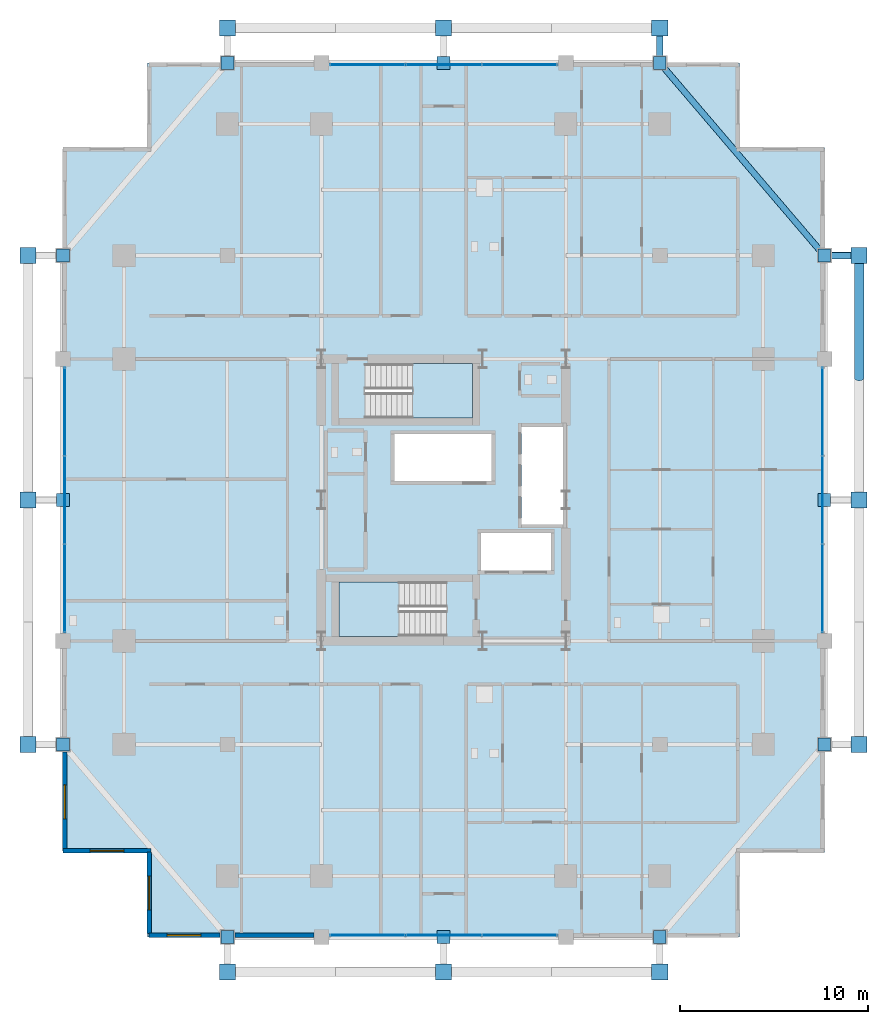
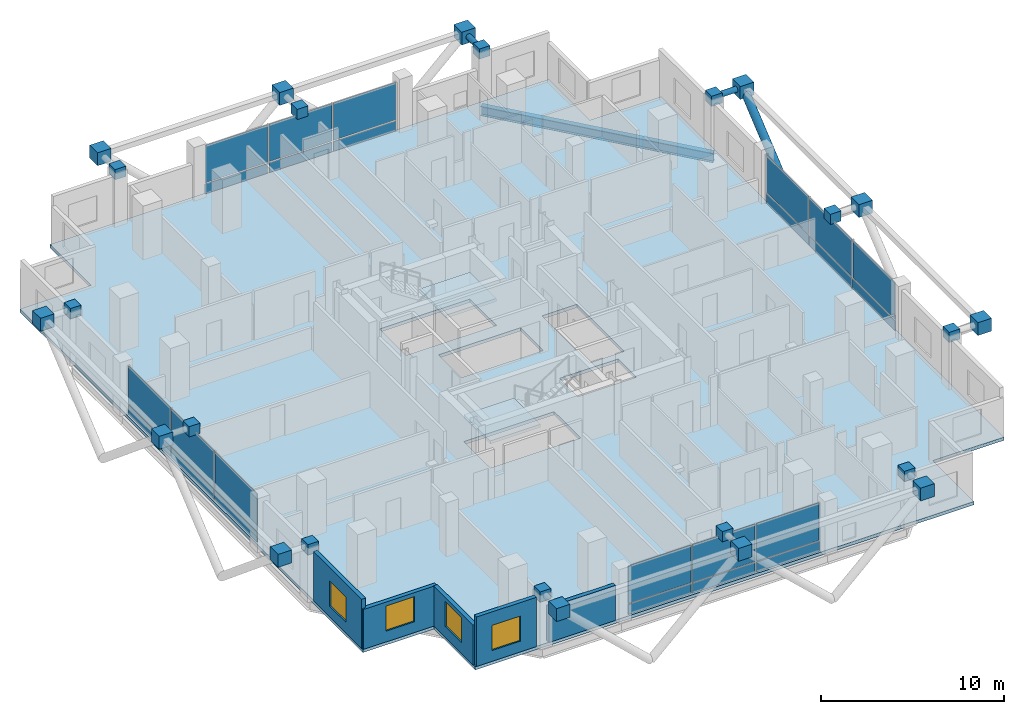
# One storey, part 18 of 25: 48 plates, 5 walls, 4 windows, 3 members, 3 slabs, 1 beam, 4 openings, 6 elements without a shape of their own.
"""IFC4 building model written with IfcOpenShell, lengths in metres."""

from ifc_helpers import new_model, si_unit, direction, frame, frame_2d, origin, origin_2d, place, context, subcontext, project, spatial, polyline, rectangle, hollow_circle, i_section, outline, extrude, material, layer, layer_set, material_profile, profile_set, type_object, element, fill, aggregate, save


model = new_model("IFC4")

# Units and contexts
model_context = context("Model", 3, precision=1e-05, world=origin(), true_north=direction((0.0, 1.0)))
body_context = subcontext(model_context, "Body", "Model", "MODEL_VIEW")
ifc_project = project(units=[si_unit("LENGTHUNIT", "METRE"), si_unit("AREAUNIT", "SQUARE_METRE"), si_unit("VOLUMEUNIT", "CUBIC_METRE"), si_unit("PLANEANGLEUNIT", "RADIAN"), si_unit("MASSUNIT", "GRAM", prefix="KILO")], contexts=[model_context])

# Site, building, storey
site_placement = place(None, origin())
site = spatial("IfcSite", under=ifc_project, at=site_placement, CompositionType="ELEMENT")
building_placement = place(site_placement, origin())
building = spatial("IfcBuilding", under=site, at=building_placement, Name="Barlavira Tower and Art Museum", CompositionType="ELEMENT")
storey_placement = place(building_placement, frame((0.0, 0.0, 162.0)))
storey = spatial("IfcBuildingStorey", under=building, at=storey_placement, Name="L41", CompositionType="ELEMENT", Elevation=162.0)

# Members
ifc_material_1 = material(Name="Steel S355", Category="steel")
ifc_material_profile_1 = material_profile(ifc_material_1, hollow_circle(Radius=0.25390625, WallThickness=0.022216796875, at=origin_2d()), Name="CHS 508.0x22.2")
ifc_profile_set_1 = profile_set([ifc_material_profile_1], Name="Steel S355")
member_type_1 = type_object("IfcMemberType", Name="Pale-Metal Exoskeleton Diagrid Tube CHS 508x22 Steel S355", PredefinedType="BRACE", material=ifc_profile_set_1)
member_placement = place(storey_placement, frame((22.10009765625, 6.5, -1.919921875), z_axis=(0.0, 0.769196053329, 0.639012857104), x_axis=(-1.0, 0.0, 0.0)))
element("IfcMember", 1, at=member_placement, inside=storey, type_object=member_type_1, Name="L41 Exoskeleton Diagrid Tube E", PredefinedType="BRACE", context=body_context, shape_type="SweptSolid", body=[
    extrude(hollow_circle(Radius=0.25390625, WallThickness=0.022216796875, at=origin_2d()), origin(), (0.0, 0.0, 1.0), 8.450439453125),
])
ifc_material_profile_2 = material_profile(ifc_material_1, hollow_circle(Radius=0.177734375, WallThickness=0.01611328125, at=origin_2d()), Name="CHS 355.6x16.0")
ifc_profile_set_2 = profile_set([ifc_material_profile_2], Name="Steel S355")
member_type_2 = type_object("IfcMemberType", Name="Pale-Metal Exoskeleton Tie Strut CHS 356x16 Steel S355", PredefinedType="STRUT", material=ifc_profile_set_2)
for number, where, z_axis, x_axis, name in (
    (2, (11.5, 25.10009765625, 3.47998046875), (0.0, -1.0, 0.0), (1.0, 0.0, 0.0), "L41 Exoskeleton Top Tie Strut N3"),
    (3, (22.10009765625, 13.0, 3.47998046875), (-1.0, 0.0, 0.0), (0.0, -1.0, 0.0), "L41 Exoskeleton Top Tie Strut E3"),
):
    element("IfcMember", number, at=place(storey_placement, frame(where, z_axis=z_axis, x_axis=x_axis)), inside=storey, type_object=member_type_2, Name=name, PredefinedType="STRUT", context=body_context, shape_type="SweptSolid", body=[
        extrude(hollow_circle(Radius=0.177734375, WallThickness=0.01611328125, at=origin_2d()), origin(), (0.0, 0.0, 1.0), 1.85009765625),
    ])

# Beam
ifc_material_profile_3 = material_profile(ifc_material_1, i_section(OverallWidth=0.327880859375, OverallDepth=0.62890625, WebThickness=0.013916015625, FlangeThickness=0.021484375, at=origin_2d()), Name="W610x174.0")
ifc_profile_set_3 = profile_set([ifc_material_profile_3], Name="Steel S355")
beam_type = type_object("IfcBeamType", Name="Perimeter Spandrel Edge Beam W610x174 Steel S355", PredefinedType="SPANDREL", material=ifc_profile_set_3)
beam_placement = place(storey_placement, frame((20.25, 13.0, -0.534423828125), z_axis=(-0.649262379928, 0.760564502202, 0.0), x_axis=(-0.760564502202, -0.649262379928, 0.0)))
element("IfcBeam", 4, at=beam_placement, inside=storey, type_object=beam_type, Name="L41 Spandrel 8", PredefinedType="SPANDREL", context=body_context, shape_type="SweptSolid", body=[
    extrude(i_section(OverallWidth=0.327880859375, OverallDepth=0.62890625, WebThickness=0.013916015625, FlangeThickness=0.021484375, at=origin_2d()), origin(), (0.0, 0.0, 1.0), 13.476806640625),
])

# Curtain wall, plates
ifc_material_2 = material(Name="Low-iron coastal laminated glass", Category="glass")
ifc_layer_1 = layer(ifc_material_2, 0.18994140625, Name="Low-iron coastal laminated glass")
ifc_layer_set_1 = layer_set([ifc_layer_1], Name="Low-iron coastal laminated glass")
curtain_wall_type = type_object("IfcCurtainWallType", Name="Pale-Metal Unitised Curtain Wall Zone 2", PredefinedType="NOTDEFINED", material=ifc_layer_set_1)
curtain_wall_1_placement = place(storey_placement, origin())
curtain_wall_1 = element("IfcCurtainWall", 5, at=curtain_wall_1_placement, inside=storey, type_object=curtain_wall_type, Name="L41 Curtain Wall CW2-L41-S-B3", PredefinedType="NOTDEFINED")
ifc_material_3 = material(Name="Pale anodised aluminium", Category="aluminium")
ifc_layer_2 = layer(ifc_material_3, 0.044921875, Name="Pale anodised aluminium")
ifc_layer_set_2 = layer_set([ifc_layer_2], Name="Pale anodised aluminium")
plate_type_1 = type_object("IfcPlateType", Name="Curtain Wall Pale-Metal Spandrel Panel 45", PredefinedType="CURTAIN_PANEL", material=ifc_layer_set_2)
plate_1_placement = place(storey_placement, frame((-4.05322265625, -23.14990234375, 0.0400390625), z_axis=(0.0, 0.0, 1.0), x_axis=(1.0, 0.0, 0.0)))
plate_1 = element("IfcPlate", 6, at=plate_1_placement, type_object=plate_type_1, Name="CW2-L41-S-B3 Spandrel Panel 0", PredefinedType="CURTAIN_PANEL", context=body_context, shape_type="SweptSolid", body=[
    extrude(rectangle(XDim=3.953369140625, YDim=0.044921875, at=origin_2d()), origin(), (0.0, 0.0, 1.0), 0.64599609375),
])
plate_2_placement = place(storey_placement, frame((0.0, -23.14990234375, 0.0400390625), z_axis=(0.0, 0.0, 1.0), x_axis=(1.0, 0.0, 0.0)))
plate_2 = element("IfcPlate", 7, at=plate_2_placement, type_object=plate_type_1, Name="CW2-L41-S-B3 Spandrel Panel 1", PredefinedType="CURTAIN_PANEL", context=body_context, shape_type="SweptSolid", body=[
    extrude(rectangle(XDim=3.953369140625, YDim=0.044921875, at=origin_2d()), origin(), (0.0, 0.0, 1.0), 0.64599609375),
])
plate_3_placement = place(storey_placement, frame((4.05322265625, -23.14990234375, 0.0400390625), z_axis=(0.0, 0.0, 1.0), x_axis=(1.0, 0.0, 0.0)))
plate_3 = element("IfcPlate", 8, at=plate_3_placement, type_object=plate_type_1, Name="CW2-L41-S-B3 Spandrel Panel 2", PredefinedType="CURTAIN_PANEL", context=body_context, shape_type="SweptSolid", body=[
    extrude(rectangle(XDim=3.953369140625, YDim=0.044921875, at=origin_2d()), origin(), (0.0, 0.0, 1.0), 0.64599609375),
])

curtain_wall_2_placement = place(storey_placement, origin())
curtain_wall_2 = element("IfcCurtainWall", 9, at=curtain_wall_2_placement, inside=storey, type_object=curtain_wall_type, Name="L41 Curtain Wall CW2-L41-N-B3", PredefinedType="NOTDEFINED")
plate_4_placement = place(storey_placement, frame((4.05322265625, 23.14990234375, 0.0400390625), z_axis=(0.0, 0.0, 1.0), x_axis=(-1.0, 0.0, 0.0)))
plate_4 = element("IfcPlate", 10, at=plate_4_placement, type_object=plate_type_1, Name="CW2-L41-N-B3 Spandrel Panel 0", PredefinedType="CURTAIN_PANEL", context=body_context, shape_type="SweptSolid", body=[
    extrude(rectangle(XDim=3.953369140625, YDim=0.044921875, at=origin_2d()), origin(), (0.0, 0.0, 1.0), 0.64599609375),
])
plate_5_placement = place(storey_placement, frame((0.0, 23.14990234375, 0.0400390625), z_axis=(0.0, 0.0, 1.0), x_axis=(-1.0, 0.0, 0.0)))
plate_5 = element("IfcPlate", 11, at=plate_5_placement, type_object=plate_type_1, Name="CW2-L41-N-B3 Spandrel Panel 1", PredefinedType="CURTAIN_PANEL", context=body_context, shape_type="SweptSolid", body=[
    extrude(rectangle(XDim=3.953369140625, YDim=0.044921875, at=origin_2d()), origin(), (0.0, 0.0, 1.0), 0.64599609375),
])
plate_6_placement = place(storey_placement, frame((-4.05322265625, 23.14990234375, 0.0400390625), z_axis=(0.0, 0.0, 1.0), x_axis=(-1.0, 0.0, 0.0)))
plate_6 = element("IfcPlate", 12, at=plate_6_placement, type_object=plate_type_1, Name="CW2-L41-N-B3 Spandrel Panel 2", PredefinedType="CURTAIN_PANEL", context=body_context, shape_type="SweptSolid", body=[
    extrude(rectangle(XDim=3.953369140625, YDim=0.044921875, at=origin_2d()), origin(), (0.0, 0.0, 1.0), 0.64599609375),
])

curtain_wall_3_placement = place(storey_placement, origin())
curtain_wall_3 = element("IfcCurtainWall", 13, at=curtain_wall_3_placement, inside=storey, type_object=curtain_wall_type, Name="L41 Curtain Wall CW2-L41-W-B3", PredefinedType="NOTDEFINED")
plate_7_placement = place(storey_placement, frame((-20.14990234375, 4.719970703125, 0.0400390625), z_axis=(0.0, 0.0, 1.0), x_axis=(0.0, -1.0, 0.0)))
plate_7 = element("IfcPlate", 14, at=plate_7_placement, type_object=plate_type_1, Name="CW2-L41-W-B3 Spandrel Panel 0", PredefinedType="CURTAIN_PANEL", context=body_context, shape_type="SweptSolid", body=[
    extrude(rectangle(XDim=4.6201171875, YDim=0.044921875, at=origin_2d()), origin(), (0.0, 0.0, 1.0), 0.64599609375),
])
plate_8_placement = place(storey_placement, frame((-20.14990234375, 0.0, 0.0400390625), z_axis=(0.0, 0.0, 1.0), x_axis=(0.0, -1.0, 0.0)))
plate_8 = element("IfcPlate", 15, at=plate_8_placement, type_object=plate_type_1, Name="CW2-L41-W-B3 Spandrel Panel 1", PredefinedType="CURTAIN_PANEL", context=body_context, shape_type="SweptSolid", body=[
    extrude(rectangle(XDim=4.6201171875, YDim=0.044921875, at=origin_2d()), origin(), (0.0, 0.0, 1.0), 0.64599609375),
])
plate_9_placement = place(storey_placement, frame((-20.14990234375, -4.719970703125, 0.0400390625), z_axis=(0.0, 0.0, 1.0), x_axis=(0.0, -1.0, 0.0)))
plate_9 = element("IfcPlate", 16, at=plate_9_placement, type_object=plate_type_1, Name="CW2-L41-W-B3 Spandrel Panel 2", PredefinedType="CURTAIN_PANEL", context=body_context, shape_type="SweptSolid", body=[
    extrude(rectangle(XDim=4.6201171875, YDim=0.044921875, at=origin_2d()), origin(), (0.0, 0.0, 1.0), 0.64599609375),
])

curtain_wall_4_placement = place(storey_placement, origin())
curtain_wall_4 = element("IfcCurtainWall", 17, at=curtain_wall_4_placement, inside=storey, type_object=curtain_wall_type, Name="L41 Curtain Wall CW2-L41-E-B3", PredefinedType="NOTDEFINED")
plate_10_placement = place(storey_placement, frame((20.14990234375, -4.719970703125, 0.0400390625), z_axis=(0.0, 0.0, 1.0), x_axis=(0.0, 1.0, 0.0)))
plate_10 = element("IfcPlate", 18, at=plate_10_placement, type_object=plate_type_1, Name="CW2-L41-E-B3 Spandrel Panel 0", PredefinedType="CURTAIN_PANEL", context=body_context, shape_type="SweptSolid", body=[
    extrude(rectangle(XDim=4.6201171875, YDim=0.044921875, at=origin_2d()), origin(), (0.0, 0.0, 1.0), 0.64599609375),
])
plate_11_placement = place(storey_placement, frame((20.14990234375, 0.0, 0.0400390625), z_axis=(0.0, 0.0, 1.0), x_axis=(0.0, 1.0, 0.0)))
plate_11 = element("IfcPlate", 19, at=plate_11_placement, type_object=plate_type_1, Name="CW2-L41-E-B3 Spandrel Panel 1", PredefinedType="CURTAIN_PANEL", context=body_context, shape_type="SweptSolid", body=[
    extrude(rectangle(XDim=4.6201171875, YDim=0.044921875, at=origin_2d()), origin(), (0.0, 0.0, 1.0), 0.64599609375),
])
plate_12_placement = place(storey_placement, frame((20.14990234375, 4.719970703125, 0.0400390625), z_axis=(0.0, 0.0, 1.0), x_axis=(0.0, 1.0, 0.0)))
plate_12 = element("IfcPlate", 20, at=plate_12_placement, type_object=plate_type_1, Name="CW2-L41-E-B3 Spandrel Panel 2", PredefinedType="CURTAIN_PANEL", context=body_context, shape_type="SweptSolid", body=[
    extrude(rectangle(XDim=4.6201171875, YDim=0.044921875, at=origin_2d()), origin(), (0.0, 0.0, 1.0), 0.64599609375),
])

# Plate
ifc_layer_3 = layer(ifc_material_2, 0.028076171875, Name="Low-iron coastal laminated glass")
ifc_layer_set_3 = layer_set([ifc_layer_3], Name="Low-iron coastal laminated glass")
plate_type_2 = type_object("IfcPlateType", Name="Curtain Wall Vision Glazing Panel 28", PredefinedType="CURTAIN_PANEL", material=ifc_layer_set_3)
plate_13_placement = place(storey_placement, frame((-4.05322265625, -23.14990234375, 0.76611328125), z_axis=(0.0, 0.0, 1.0), x_axis=(1.0, 0.0, 0.0)))
plate_13 = element("IfcPlate", 21, at=plate_13_placement, type_object=plate_type_2, Name="CW2-L41-S-B3 Vision Glass Panel 0", PredefinedType="CURTAIN_PANEL", context=body_context, shape_type="SweptSolid", body=[
    extrude(rectangle(XDim=3.953369140625, YDim=0.028076171875, at=origin_2d()), origin(), (0.0, 0.0, 1.0), 2.493896484375),
])

plate_14_placement = place(storey_placement, frame((0.0, -23.14990234375, 0.76611328125), z_axis=(0.0, 0.0, 1.0), x_axis=(1.0, 0.0, 0.0)))
plate_14 = element("IfcPlate", 22, at=plate_14_placement, type_object=plate_type_2, Name="CW2-L41-S-B3 Vision Glass Panel 1", PredefinedType="CURTAIN_PANEL", context=body_context, shape_type="SweptSolid", body=[
    extrude(rectangle(XDim=3.953369140625, YDim=0.028076171875, at=origin_2d()), origin(), (0.0, 0.0, 1.0), 2.493896484375),
])

plate_15_placement = place(storey_placement, frame((4.05322265625, -23.14990234375, 0.76611328125), z_axis=(0.0, 0.0, 1.0), x_axis=(1.0, 0.0, 0.0)))
plate_15 = element("IfcPlate", 23, at=plate_15_placement, type_object=plate_type_2, Name="CW2-L41-S-B3 Vision Glass Panel 2", PredefinedType="CURTAIN_PANEL", context=body_context, shape_type="SweptSolid", body=[
    extrude(rectangle(XDim=3.953369140625, YDim=0.028076171875, at=origin_2d()), origin(), (0.0, 0.0, 1.0), 2.493896484375),
])

aggregate(curtain_wall_1, [plate_1, plate_13, plate_2, plate_14, plate_3, plate_15])

plate_16_placement = place(storey_placement, frame((4.05322265625, 23.14990234375, 0.76611328125), z_axis=(0.0, 0.0, 1.0), x_axis=(-1.0, 0.0, 0.0)))
plate_16 = element("IfcPlate", 24, at=plate_16_placement, type_object=plate_type_2, Name="CW2-L41-N-B3 Vision Glass Panel 0", PredefinedType="CURTAIN_PANEL", context=body_context, shape_type="SweptSolid", body=[
    extrude(rectangle(XDim=3.953369140625, YDim=0.028076171875, at=origin_2d()), origin(), (0.0, 0.0, 1.0), 2.493896484375),
])

plate_17_placement = place(storey_placement, frame((0.0, 23.14990234375, 0.76611328125), z_axis=(0.0, 0.0, 1.0), x_axis=(-1.0, 0.0, 0.0)))
plate_17 = element("IfcPlate", 25, at=plate_17_placement, type_object=plate_type_2, Name="CW2-L41-N-B3 Vision Glass Panel 1", PredefinedType="CURTAIN_PANEL", context=body_context, shape_type="SweptSolid", body=[
    extrude(rectangle(XDim=3.953369140625, YDim=0.028076171875, at=origin_2d()), origin(), (0.0, 0.0, 1.0), 2.493896484375),
])

plate_18_placement = place(storey_placement, frame((-4.05322265625, 23.14990234375, 0.76611328125), z_axis=(0.0, 0.0, 1.0), x_axis=(-1.0, 0.0, 0.0)))
plate_18 = element("IfcPlate", 26, at=plate_18_placement, type_object=plate_type_2, Name="CW2-L41-N-B3 Vision Glass Panel 2", PredefinedType="CURTAIN_PANEL", context=body_context, shape_type="SweptSolid", body=[
    extrude(rectangle(XDim=3.953369140625, YDim=0.028076171875, at=origin_2d()), origin(), (0.0, 0.0, 1.0), 2.493896484375),
])

aggregate(curtain_wall_2, [plate_4, plate_16, plate_5, plate_17, plate_6, plate_18])

plate_19_placement = place(storey_placement, frame((-20.14990234375, 4.719970703125, 0.76611328125), z_axis=(0.0, 0.0, 1.0), x_axis=(0.0, -1.0, 0.0)))
plate_19 = element("IfcPlate", 27, at=plate_19_placement, type_object=plate_type_2, Name="CW2-L41-W-B3 Vision Glass Panel 0", PredefinedType="CURTAIN_PANEL", context=body_context, shape_type="SweptSolid", body=[
    extrude(rectangle(XDim=4.6201171875, YDim=0.028076171875, at=origin_2d()), origin(), (0.0, 0.0, 1.0), 2.493896484375),
])

plate_20_placement = place(storey_placement, frame((-20.14990234375, 0.0, 0.76611328125), z_axis=(0.0, 0.0, 1.0), x_axis=(0.0, -1.0, 0.0)))
plate_20 = element("IfcPlate", 28, at=plate_20_placement, type_object=plate_type_2, Name="CW2-L41-W-B3 Vision Glass Panel 1", PredefinedType="CURTAIN_PANEL", context=body_context, shape_type="SweptSolid", body=[
    extrude(rectangle(XDim=4.6201171875, YDim=0.028076171875, at=origin_2d()), origin(), (0.0, 0.0, 1.0), 2.493896484375),
])

plate_21_placement = place(storey_placement, frame((-20.14990234375, -4.719970703125, 0.76611328125), z_axis=(0.0, 0.0, 1.0), x_axis=(0.0, -1.0, 0.0)))
plate_21 = element("IfcPlate", 29, at=plate_21_placement, type_object=plate_type_2, Name="CW2-L41-W-B3 Vision Glass Panel 2", PredefinedType="CURTAIN_PANEL", context=body_context, shape_type="SweptSolid", body=[
    extrude(rectangle(XDim=4.6201171875, YDim=0.028076171875, at=origin_2d()), origin(), (0.0, 0.0, 1.0), 2.493896484375),
])

aggregate(curtain_wall_3, [plate_7, plate_19, plate_8, plate_20, plate_9, plate_21])

plate_22_placement = place(storey_placement, frame((20.14990234375, -4.719970703125, 0.76611328125), z_axis=(0.0, 0.0, 1.0), x_axis=(0.0, 1.0, 0.0)))
plate_22 = element("IfcPlate", 30, at=plate_22_placement, type_object=plate_type_2, Name="CW2-L41-E-B3 Vision Glass Panel 0", PredefinedType="CURTAIN_PANEL", context=body_context, shape_type="SweptSolid", body=[
    extrude(rectangle(XDim=4.6201171875, YDim=0.028076171875, at=origin_2d()), origin(), (0.0, 0.0, 1.0), 2.493896484375),
])

plate_23_placement = place(storey_placement, frame((20.14990234375, 0.0, 0.76611328125), z_axis=(0.0, 0.0, 1.0), x_axis=(0.0, 1.0, 0.0)))
plate_23 = element("IfcPlate", 31, at=plate_23_placement, type_object=plate_type_2, Name="CW2-L41-E-B3 Vision Glass Panel 1", PredefinedType="CURTAIN_PANEL", context=body_context, shape_type="SweptSolid", body=[
    extrude(rectangle(XDim=4.6201171875, YDim=0.028076171875, at=origin_2d()), origin(), (0.0, 0.0, 1.0), 2.493896484375),
])

plate_24_placement = place(storey_placement, frame((20.14990234375, 4.719970703125, 0.76611328125), z_axis=(0.0, 0.0, 1.0), x_axis=(0.0, 1.0, 0.0)))
plate_24 = element("IfcPlate", 32, at=plate_24_placement, type_object=plate_type_2, Name="CW2-L41-E-B3 Vision Glass Panel 2", PredefinedType="CURTAIN_PANEL", context=body_context, shape_type="SweptSolid", body=[
    extrude(rectangle(XDim=4.6201171875, YDim=0.028076171875, at=origin_2d()), origin(), (0.0, 0.0, 1.0), 2.493896484375),
])

aggregate(curtain_wall_4, [plate_10, plate_22, plate_11, plate_23, plate_12, plate_24])

# Plates
ifc_layer_4 = layer(ifc_material_1, 0.860107421875, Name="Steel S355")
ifc_layer_set_4 = layer_set([ifc_layer_4], Name="Steel S355")
plate_type_3 = type_object("IfcPlateType", Name="Exoskeleton Solid Steel Node Cap Plate Assembly Type 2 Steel S355", PredefinedType="USERDEFINED", material=ifc_layer_set_4)
for number, where, z_axis, x_axis, name in (
    (33, (-11.5, -25.10009765625, 3.0498046875), (0.0, 0.0, 1.0), (1.0, 0.0, 0.0), "Exoskeleton Node S ND-L41-0409"),
    (34, (0.0, -25.10009765625, 3.0498046875), (0.0, 0.0, 1.0), (1.0, 0.0, 0.0), "Exoskeleton Node S ND-L41-0410"),
    (35, (11.5, -25.10009765625, 3.0498046875), (0.0, 0.0, 1.0), (1.0, 0.0, 0.0), "Exoskeleton Node S ND-L41-0411"),
    (36, (-11.5, 25.10009765625, 3.0498046875), (0.0, 0.0, 1.0), (1.0, 0.0, 0.0), "Exoskeleton Node N ND-L41-0420"),
    (37, (0.0, 25.10009765625, 3.0498046875), (0.0, 0.0, 1.0), (1.0, 0.0, 0.0), "Exoskeleton Node N ND-L41-0421"),
    (38, (11.5, 25.10009765625, 3.0498046875), (0.0, 0.0, 1.0), (1.0, 0.0, 0.0), "Exoskeleton Node N ND-L41-0422"),
    (39, (-22.10009765625, -13.0, 3.0498046875), (0.0, 0.0, 1.0), (1.0, 0.0, 0.0), "Exoskeleton Node W ND-L41-0431"),
    (40, (-22.10009765625, 0.0, 3.0498046875), (0.0, 0.0, 1.0), (1.0, 0.0, 0.0), "Exoskeleton Node W ND-L41-0432"),
    (41, (-22.10009765625, 13.0, 3.0498046875), (0.0, 0.0, 1.0), (1.0, 0.0, 0.0), "Exoskeleton Node W ND-L41-0433"),
    (42, (22.10009765625, -13.0, 3.0498046875), (0.0, 0.0, 1.0), (1.0, 0.0, 0.0), "Exoskeleton Node E ND-L41-0442"),
    (43, (22.10009765625, 0.0, 3.0498046875), (0.0, 0.0, 1.0), (1.0, 0.0, 0.0), "Exoskeleton Node E ND-L41-0443"),
    (44, (22.10009765625, 13.0, 3.0498046875), (0.0, 0.0, 1.0), (1.0, 0.0, 0.0), "Exoskeleton Node E ND-L41-0444"),
):
    element("IfcPlate", number, at=place(storey_placement, frame(where, z_axis=z_axis, x_axis=x_axis)), inside=storey, type_object=plate_type_3, Name=name, ObjectType="FLANGE_PLATE", PredefinedType="USERDEFINED", context=body_context, shape_type="SweptSolid", body=[
        extrude(rectangle(XDim=0.860107421875, YDim=0.860107421875, at=origin_2d()), origin(), (0.0, 0.0, 1.0), 0.860107421875),
    ])
ifc_layer_5 = layer(ifc_material_1, 0.679931640625, Name="Steel S355")
ifc_layer_set_5 = layer_set([ifc_layer_5], Name="Steel S355")
plate_type_4 = type_object("IfcPlateType", Name="Exoskeleton Tie-Back Solid Cap Plate Assembly Type 5 Steel S355", PredefinedType="USERDEFINED", material=ifc_layer_set_5)
for number, where, z_axis, x_axis, name in (
    (45, (-11.5, -23.25, 3.14013671875), (0.0, 0.0, 1.0), (1.0, 0.0, 0.0), "Top Slab Tie Cap Plate S1 ND-L41-0417"),
    (46, (0.0, -23.25, 3.14013671875), (0.0, 0.0, 1.0), (1.0, 0.0, 0.0), "Top Slab Tie Cap Plate S2 ND-L41-0418"),
    (47, (11.5, -23.25, 3.14013671875), (0.0, 0.0, 1.0), (1.0, 0.0, 0.0), "Top Slab Tie Cap Plate S3 ND-L41-0419"),
    (48, (-11.5, 23.25, 3.14013671875), (0.0, 0.0, 1.0), (1.0, 0.0, 0.0), "Top Slab Tie Cap Plate N1 ND-L41-0428"),
    (49, (0.0, 23.25, 3.14013671875), (0.0, 0.0, 1.0), (1.0, 0.0, 0.0), "Top Slab Tie Cap Plate N2 ND-L41-0429"),
    (50, (11.5, 23.25, 3.14013671875), (0.0, 0.0, 1.0), (1.0, 0.0, 0.0), "Top Slab Tie Cap Plate N3 ND-L41-0430"),
    (51, (-20.25, -13.0, 3.14013671875), (0.0, 0.0, 1.0), (1.0, 0.0, 0.0), "Top Slab Tie Cap Plate W1 ND-L41-0439"),
    (52, (-20.25, 0.0, 3.14013671875), (0.0, 0.0, 1.0), (1.0, 0.0, 0.0), "Top Slab Tie Cap Plate W2 ND-L41-0440"),
    (53, (-20.25, 13.0, 3.14013671875), (0.0, 0.0, 1.0), (1.0, 0.0, 0.0), "Top Slab Tie Cap Plate W3 ND-L41-0441"),
    (54, (20.25, -13.0, 3.14013671875), (0.0, 0.0, 1.0), (1.0, 0.0, 0.0), "Top Slab Tie Cap Plate E1 ND-L41-0450"),
    (55, (20.25, 0.0, 3.14013671875), (0.0, 0.0, 1.0), (1.0, 0.0, 0.0), "Top Slab Tie Cap Plate E2 ND-L41-0451"),
    (56, (20.25, 13.0, 3.14013671875), (0.0, 0.0, 1.0), (1.0, 0.0, 0.0), "Top Slab Tie Cap Plate E3 ND-L41-0452"),
):
    element("IfcPlate", number, at=place(storey_placement, frame(where, z_axis=z_axis, x_axis=x_axis)), inside=storey, type_object=plate_type_4, Name=name, ObjectType="FLANGE_PLATE", PredefinedType="USERDEFINED", context=body_context, shape_type="SweptSolid", body=[
        extrude(rectangle(XDim=0.679931640625, YDim=0.679931640625, at=origin_2d()), origin(), (0.0, 0.0, 1.0), 0.679931640625),
    ])

# Stair, slab
ifc_material_4 = material(Name="Concrete C45", Category="concrete")
stair_type_1 = type_object("IfcStairType", Name="Tower North Dog-Leg Exit Stair Assembly Concrete C45", PredefinedType="TWO_QUARTER_TURN_STAIR", material=ifc_material_4)
stair_1_placement = place(storey_placement, origin())
stair_1 = element("IfcStair", 57, at=stair_1_placement, inside=storey, type_object=stair_type_1, Name="L41 Tower North Exit Stair ST-T2", PredefinedType="TWO_QUARTER_TURN_STAIR")
ifc_layer_6 = layer(ifc_material_4, 0.199951171875, Name="Concrete C45")
ifc_layer_set_6 = layer_set([ifc_layer_6], Name="Concrete C45")
slab_type_1 = type_object("IfcSlabType", Name="Tower North Dog-Leg Exit Stair Half-Landing Slab 200 Concrete C45", PredefinedType="LANDING", material=ifc_layer_set_6)
slab_1_placement = place(storey_placement, frame((0.0, 0.0, 1.60009765625)))
slab_1 = element("IfcSlab", 58, at=slab_1_placement, type_object=slab_type_1, Name="ST-T2 landing 1", PredefinedType="LANDING", context=body_context, shape_type="SweptSolid", body=[
    extrude(outline(polyline([(-1.64990234375, 4.35009765625), (1.530029296875, 4.35009765625), (1.530029296875, 7.25), (-1.64990234375, 7.25), (-1.64990234375, 4.35009765625)])), origin(), (0.0, 0.0, 1.0), 0.199951171875),
])
aggregate(stair_1, [slab_1])

stair_type_2 = type_object("IfcStairType", Name="Tower South Dog-Leg Exit Stair Assembly Concrete C45", PredefinedType="TWO_QUARTER_TURN_STAIR", material=ifc_material_4)
stair_2_placement = place(storey_placement, origin())
stair_2 = element("IfcStair", 59, at=stair_2_placement, inside=storey, type_object=stair_type_2, Name="L41 Tower South Exit Stair ST-T1", PredefinedType="TWO_QUARTER_TURN_STAIR")
ifc_layer_7 = layer(ifc_material_4, 0.199951171875, Name="Concrete C45")
ifc_layer_set_7 = layer_set([ifc_layer_7], Name="Concrete C45")
slab_type_2 = type_object("IfcSlabType", Name="Tower South Dog-Leg Exit Stair Half-Landing Slab 200 Concrete C45", PredefinedType="LANDING", material=ifc_layer_set_7)
slab_2_placement = place(storey_placement, frame((0.0, 0.0, 1.60009765625)))
slab_2 = element("IfcSlab", 60, at=slab_2_placement, type_object=slab_type_2, Name="ST-T1 landing 1", PredefinedType="LANDING", context=body_context, shape_type="SweptSolid", body=[
    extrude(outline(polyline([(-2.3701171875, -4.35009765625), (-5.550048828125, -4.35009765625), (-5.550048828125, -7.25), (-2.3701171875, -7.25), (-2.3701171875, -4.35009765625)])), origin(), (0.0, 0.0, 1.0), 0.199951171875),
])
aggregate(stair_2, [slab_2])

# Slab
ifc_material_5 = material(Name="Concrete C50", Category="concrete")
ifc_layer_8 = layer(ifc_material_5, 0.2099609375, Name="Concrete C50")
ifc_layer_set_8 = layer_set([ifc_layer_8], Name="Concrete C50")
slab_type_3 = type_object("IfcSlabType", Name="Zone 2 Residential Composite Slab 210 Concrete C50", PredefinedType="FLOOR", material=ifc_layer_set_8)
slab_3_placement = place(storey_placement, frame((0.0, 0.0, -0.219970703125)))
element("IfcSlab", 61, at=slab_3_placement, inside=storey, type_object=slab_type_3, Name="L41 Tower Floor Slab", PredefinedType="FLOOR", context=body_context, shape_type="SweptSolid", body=[
    extrude(outline(polyline([(-15.75, -23.25), (15.75, -23.25), (15.75, -18.75), (20.25, -18.75), (20.25, 18.75), (15.75, 18.75), (15.75, 23.25), (-15.75, 23.25), (-15.75, 18.75), (-20.25, 18.75), (-20.25, -18.75), (-15.75, -18.75), (-15.75, -23.25)]), holes=[polyline([(0.14990234375, -4.35009765625), (-5.550048828125, -4.35009765625), (-5.550048828125, -7.25), (0.14990234375, -7.25), (0.14990234375, -4.35009765625)]), polyline([(-4.169921875, 4.35009765625), (1.530029296875, 4.35009765625), (1.530029296875, 7.25), (-4.169921875, 7.25), (-4.169921875, 4.35009765625)]), polyline([(4.14990234375, -1.2900390625), (6.35009765625, -1.2900390625), (6.35009765625, 3.889892578125), (4.14990234375, 3.889892578125), (4.14990234375, -1.2900390625)]), polyline([(-2.6201171875, 1.0), (2.56005859375, 1.0), (2.56005859375, 3.5), (-2.6201171875, 3.5), (-2.6201171875, 1.0)]), polyline([(2.0, -3.75), (5.699951171875, -3.75), (5.699951171875, -1.75), (2.0, -1.75), (2.0, -3.75)])]), origin(), (0.0, 0.0, 1.0), 0.219970703125),
])

# Wall, opening, window
ifc_material_6 = material(Name="Precast concrete C40", Category="concrete")
ifc_layer_9 = layer(ifc_material_6, 0.25, Name="Precast concrete C40")
ifc_layer_set_9 = layer_set([ifc_layer_9], Name="Precast concrete C40")
wall_type = type_object("IfcWallType", Name="Notched Corner Spandrel Wall 250 Precast Concrete C40", PredefinedType="SOLIDWALL", material=ifc_layer_set_9)
wall_1_placement = place(storey_placement, frame((-15.675048828125, -23.14990234375, 0.0), z_axis=(0.0, 0.0, 1.0), x_axis=(1.0, 0.0, 0.0)))
wall_1 = element("IfcWall", 62, at=wall_1_placement, inside=storey, type_object=wall_type, Name="L41 Coastal Facade Pier Wall CW2-L41-S-1", PredefinedType="SOLIDWALL", context=body_context, shape_type="SweptSolid", body=[
    extrude(rectangle(XDim=3.780029296875, YDim=0.25, at=frame_2d((1.89013671875, 0.0))), origin(), (0.0, 0.0, 1.0), 3.300048828125),
])
opening_1_placement = place(wall_1_placement, frame((0.968017578125, 0.0, 0.719970703125)))
opening_1 = element("IfcOpeningElement", 63, at=opening_1_placement, cuts=wall_1, Name="Opening WN-01", PredefinedType="OPENING", context=body_context, shape_type="SweptSolid", body=[
    extrude(rectangle(XDim=1.800048828125, YDim=1.679931640625, at=frame_2d((0.89990234375, 0.83984375))), frame((0.0, 0.135009765625, 0.0), z_axis=(0.0, -1.0, 0.0), x_axis=(1.0, 0.0, 0.0)), (0.0, 0.0, 1.0), 0.27001953125),
])
window_type = type_object("IfcWindowType", Name="Recessed Notch Corner Punch Window 1800x1680", PartitioningType="SINGLE_PANEL", PredefinedType="WINDOW", material=ifc_material_2)
window_1_placement = place(opening_1_placement, origin())
window_1 = element("IfcWindow", 64, at=window_1_placement, inside=storey, type_object=window_type, Name="L41 Punched Facade Window EWP-CW2-L41-S-1-1", OverallHeight=1.679931640625, OverallWidth=1.800048828125, PartitioningType="SINGLE_PANEL", PredefinedType="WINDOW", context=body_context, shape_type="SweptSolid", body=[
    extrude(rectangle(XDim=1.800048828125, YDim=1.679931640625, at=frame_2d((0.89990234375, 0.83984375))), frame((0.0, 0.030029296875, 0.0), z_axis=(0.0, -1.0, 0.0), x_axis=(1.0, 0.0, 0.0)), (0.0, 0.0, 1.0), 0.06005859375),
])
fill(opening_1, window_1)

# Wall
wall_2_placement = place(storey_placement, frame((-11.10498046875, -23.14990234375, 0.0), z_axis=(0.0, 0.0, 1.0), x_axis=(1.0, 0.0, 0.0)))
element("IfcWall", 65, at=wall_2_placement, inside=storey, type_object=wall_type, Name="L41 Coastal Facade Pier Wall CW2-L41-S-2", PredefinedType="SOLIDWALL", context=body_context, shape_type="SweptSolid", body=[
    extrude(rectangle(XDim=4.2099609375, YDim=0.25, at=frame_2d((2.10498046875, 0.0))), origin(), (0.0, 0.0, 1.0), 2.35302734375),
])

# Wall, opening, window
wall_3_placement = place(storey_placement, frame((-20.14990234375, -13.39501953125, 0.0), z_axis=(0.0, 0.0, 1.0), x_axis=(0.0, -1.0, 0.0)))
wall_3 = element("IfcWall", 66, at=wall_3_placement, inside=storey, type_object=wall_type, Name="L41 Coastal Facade Pier Wall CW2-L41-W-5", PredefinedType="SOLIDWALL", context=body_context, shape_type="SweptSolid", body=[
    extrude(rectangle(XDim=5.280029296875, YDim=0.25, at=frame_2d((2.64013671875, 0.0))), origin(), (0.0, 0.0, 1.0), 3.300048828125),
])
opening_2_placement = place(wall_3_placement, frame((1.762939453125, 0.0, 0.719970703125)))
opening_2 = element("IfcOpeningElement", 67, at=opening_2_placement, cuts=wall_3, Name="Opening WN-01", PredefinedType="OPENING", context=body_context, shape_type="SweptSolid", body=[
    extrude(rectangle(XDim=1.800048828125, YDim=1.679931640625, at=frame_2d((0.89990234375, 0.83984375))), frame((0.0, 0.135009765625, 0.0), z_axis=(0.0, -1.0, 0.0), x_axis=(1.0, 0.0, 0.0)), (0.0, 0.0, 1.0), 0.27001953125),
])
window_2_placement = place(opening_2_placement, origin())
window_2 = element("IfcWindow", 68, at=window_2_placement, inside=storey, type_object=window_type, Name="L41 Punched Facade Window EWP-CW2-L41-W-5-1", OverallHeight=1.679931640625, OverallWidth=1.800048828125, PartitioningType="SINGLE_PANEL", PredefinedType="WINDOW", context=body_context, shape_type="SweptSolid", body=[
    extrude(rectangle(XDim=1.800048828125, YDim=1.679931640625, at=frame_2d((0.89990234375, 0.83984375))), frame((0.0, 0.030029296875, 0.0), z_axis=(0.0, -1.0, 0.0), x_axis=(1.0, 0.0, 0.0)), (0.0, 0.0, 1.0), 0.06005859375),
])
fill(opening_2, window_2)

wall_4_placement = place(storey_placement, frame((-20.22998046875, -18.64990234375, 0.0), z_axis=(0.0, 0.0, 1.0), x_axis=(1.0, 0.0, 0.0)))
wall_4 = element("IfcWall", 69, at=wall_4_placement, inside=storey, type_object=wall_type, Name="L41 Notch Corner Wall SW1", PredefinedType="SOLIDWALL", context=body_context, shape_type="SweptSolid", body=[
    extrude(rectangle(XDim=4.659912109375, YDim=0.25, at=frame_2d((2.330078125, 0.0))), origin(), (0.0, 0.0, 1.0), 2.66796875),
])
opening_3_placement = place(wall_4_placement, frame((1.429931640625, 0.0, 0.719970703125)))
opening_3 = element("IfcOpeningElement", 70, at=opening_3_placement, cuts=wall_4, Name="Opening WN-01", PredefinedType="OPENING", context=body_context, shape_type="SweptSolid", body=[
    extrude(rectangle(XDim=1.800048828125, YDim=1.679931640625, at=frame_2d((0.89990234375, 0.83984375))), frame((0.0, 0.135009765625, 0.0), z_axis=(0.0, -1.0, 0.0), x_axis=(1.0, 0.0, 0.0)), (0.0, 0.0, 1.0), 0.27001953125),
])
window_3_placement = place(opening_3_placement, origin())
window_3 = element("IfcWindow", 71, at=window_3_placement, inside=storey, type_object=window_type, Name="L41 Punched Facade Window EW-NTC-L41-SW1-1", OverallHeight=1.679931640625, OverallWidth=1.800048828125, PartitioningType="SINGLE_PANEL", PredefinedType="WINDOW", context=body_context, shape_type="SweptSolid", body=[
    extrude(rectangle(XDim=1.800048828125, YDim=1.679931640625, at=frame_2d((0.89990234375, 0.83984375))), frame((0.0, 0.030029296875, 0.0), z_axis=(0.0, -1.0, 0.0), x_axis=(1.0, 0.0, 0.0)), (0.0, 0.0, 1.0), 0.06005859375),
])
fill(opening_3, window_3)

wall_5_placement = place(storey_placement, frame((-15.64990234375, -18.72998046875, 0.0), z_axis=(0.0, 0.0, 1.0), x_axis=(0.0, -1.0, 0.0)))
wall_5 = element("IfcWall", 72, at=wall_5_placement, inside=storey, type_object=wall_type, Name="L41 Notch Corner Wall SW2", PredefinedType="SOLIDWALL", context=body_context, shape_type="SweptSolid", body=[
    extrude(rectangle(XDim=4.340087890625, YDim=0.25, at=frame_2d((2.169921875, 0.0))), origin(), (0.0, 0.0, 1.0), 2.66796875),
])
opening_4_placement = place(wall_5_placement, frame((1.27001953125, 0.0, 0.719970703125)))
opening_4 = element("IfcOpeningElement", 73, at=opening_4_placement, cuts=wall_5, Name="Opening WN-01", PredefinedType="OPENING", context=body_context, shape_type="SweptSolid", body=[
    extrude(rectangle(XDim=1.800048828125, YDim=1.679931640625, at=frame_2d((0.89990234375, 0.83984375))), frame((0.0, 0.135009765625, 0.0), z_axis=(0.0, -1.0, 0.0), x_axis=(1.0, 0.0, 0.0)), (0.0, 0.0, 1.0), 0.27001953125),
])
window_4_placement = place(opening_4_placement, origin())
window_4 = element("IfcWindow", 74, at=window_4_placement, inside=storey, type_object=window_type, Name="L41 Punched Facade Window EW-NTC-L41-SW2-1", OverallHeight=1.679931640625, OverallWidth=1.800048828125, PartitioningType="SINGLE_PANEL", PredefinedType="WINDOW", context=body_context, shape_type="SweptSolid", body=[
    extrude(rectangle(XDim=1.800048828125, YDim=1.679931640625, at=frame_2d((0.89990234375, 0.83984375))), frame((0.0, 0.030029296875, 0.0), z_axis=(0.0, -1.0, 0.0), x_axis=(1.0, 0.0, 0.0)), (0.0, 0.0, 1.0), 0.06005859375),
])
fill(opening_4, window_4)

save(model, "model.ifc")
